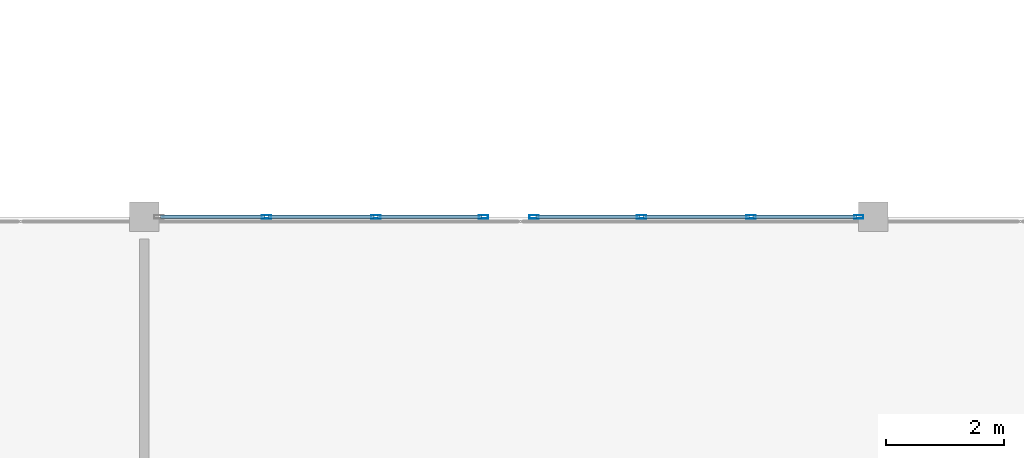
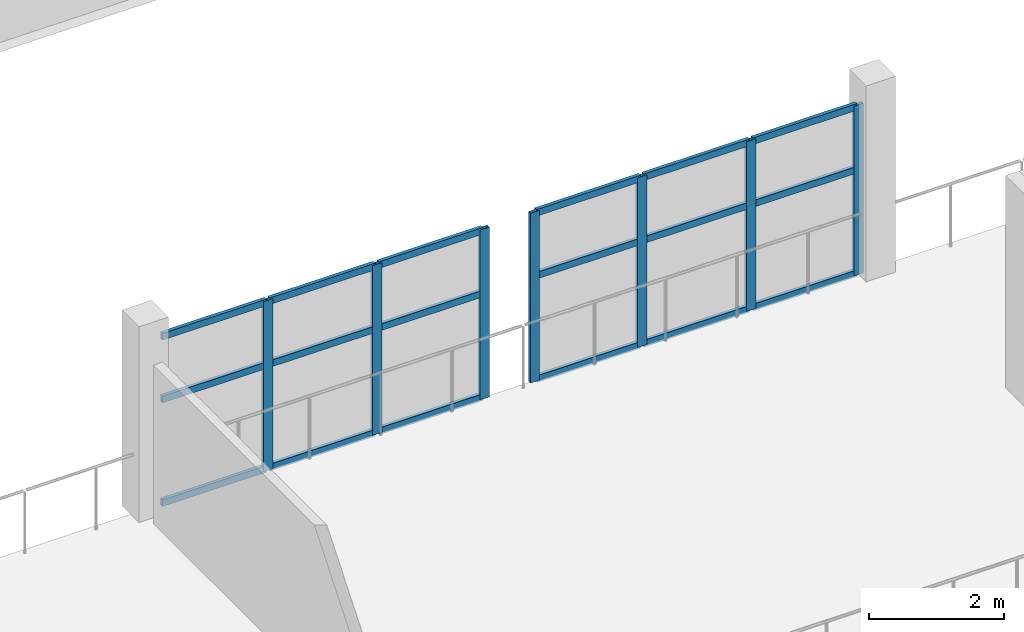
# One storey, part 44 of 128: 25 members, 2 elements without a shape of their own.
"""IFC4 building model written with IfcOpenShell, lengths in metres."""

from ifc_helpers import new_model, si_unit, direction, frame, origin, origin_2d, place, context, subcontext, project, spatial, hollow_rectangle, extrude, material, material_profile, profile_set, type_object, element, aggregate, save


model = new_model("IFC4")

# Units and contexts
model_context = context("Model", 3, precision=1e-05, world=origin(), true_north=direction((0.0, 1.0)))
body_context = subcontext(model_context, "Body", "Model", "MODEL_VIEW")
ifc_project = project(units=[si_unit("LENGTHUNIT", "METRE"), si_unit("AREAUNIT", "SQUARE_METRE"), si_unit("VOLUMEUNIT", "CUBIC_METRE"), si_unit("PLANEANGLEUNIT", "RADIAN"), si_unit("MASSUNIT", "GRAM", prefix="KILO")], contexts=[model_context])

# Site, building, storey
site_placement = place(None, origin())
site = spatial("IfcSite", under=ifc_project, at=site_placement, CompositionType="ELEMENT")
building_placement = place(site_placement, origin())
building = spatial("IfcBuilding", under=site, at=building_placement, Name="Tanwirah Colonnade Gardens", CompositionType="ELEMENT")
storey_placement = place(building_placement, frame((0.0, 0.0, 4.760009765625)))
storey = spatial("IfcBuildingStorey", under=building, at=storey_placement, Name="L01", CompositionType="ELEMENT", Elevation=4.760009765625)

# Curtain wall, members
ifc_material_1 = material(Name="Bronze-anodised aluminium and solar-control low-E glass", Category="aluminium")
curtain_wall_type = type_object("IfcCurtainWallType", Name="CW-HALL", PredefinedType="NOTDEFINED", material=ifc_material_1)
curtain_wall_1_placement = place(storey_placement, origin())
curtain_wall_1 = element("IfcCurtainWall", 1, at=curtain_wall_1_placement, inside=storey, type_object=curtain_wall_type, Name="Curtain Wall CW-HALL-L01-N-1", PredefinedType="NOTDEFINED")
ifc_material_2 = material(Name="Bronze-anodised aluminium", Category="aluminium")
ifc_material_profile_1 = material_profile(ifc_material_2, hollow_rectangle(XDim=0.06005859375, YDim=0.159912109375, WallThickness=0.00390625, at=origin_2d()), Name="CW-MUL 60x160x4")
ifc_profile_set_1 = profile_set([ifc_material_profile_1], Name="Bronze-anodised aluminium")
member_type_1 = type_object("IfcMemberType", Name="CWM-60x160", PredefinedType="MULLION", material=ifc_profile_set_1)
member_1_placement = place(storey_placement, frame((88.8798828125, 80.39990234375, 0.0), z_axis=(0.0, 0.0, 1.0), x_axis=(0.0, 1.0, 0.0)))
member_1 = element("IfcMember", 2, at=member_1_placement, type_object=member_type_1, Name="CW-HALL mullion 2", PredefinedType="MULLION", context=body_context, shape_type="SweptSolid", body=[
    extrude(hollow_rectangle(XDim=0.06005859375, YDim=0.159912109375, WallThickness=0.00390625, at=origin_2d()), origin(), (0.0, 0.0, 1.0), 3.06005859375),
])
member_2_placement = place(storey_placement, frame((90.739990234375, 80.39990234375, 0.0), z_axis=(0.0, 0.0, 1.0), x_axis=(0.0, 1.0, 0.0)))
member_2 = element("IfcMember", 3, at=member_2_placement, type_object=member_type_1, Name="CW-HALL mullion 3", PredefinedType="MULLION", context=body_context, shape_type="SweptSolid", body=[
    extrude(hollow_rectangle(XDim=0.06005859375, YDim=0.159912109375, WallThickness=0.00390625, at=origin_2d()), origin(), (0.0, 0.0, 1.0), 3.06005859375),
])
member_3_placement = place(storey_placement, frame((92.570068359375, 80.39990234375, 0.0), z_axis=(0.0, 0.0, 1.0), x_axis=(0.0, 1.0, 0.0)))
member_3 = element("IfcMember", 4, at=member_3_placement, type_object=member_type_1, Name="CW-HALL mullion 4", PredefinedType="MULLION", context=body_context, shape_type="SweptSolid", body=[
    extrude(hollow_rectangle(XDim=0.06005859375, YDim=0.159912109375, WallThickness=0.00390625, at=origin_2d()), origin(), (0.0, 0.0, 1.0), 3.06005859375),
])

curtain_wall_2_placement = place(storey_placement, origin())
curtain_wall_2 = element("IfcCurtainWall", 5, at=curtain_wall_2_placement, inside=storey, type_object=curtain_wall_type, Name="Curtain Wall CW-HALL-L01-N-2", PredefinedType="NOTDEFINED")
member_4_placement = place(storey_placement, frame((93.429931640625, 80.39990234375, 0.0), z_axis=(0.0, 0.0, 1.0), x_axis=(0.0, 1.0, 0.0)))
member_4 = element("IfcMember", 6, at=member_4_placement, type_object=member_type_1, Name="CW-HALL mullion 1", PredefinedType="MULLION", context=body_context, shape_type="SweptSolid", body=[
    extrude(hollow_rectangle(XDim=0.06005859375, YDim=0.159912109375, WallThickness=0.00390625, at=origin_2d()), origin(), (0.0, 0.0, 1.0), 3.06005859375),
])
member_5_placement = place(storey_placement, frame((95.260009765625, 80.39990234375, 0.0), z_axis=(0.0, 0.0, 1.0), x_axis=(0.0, 1.0, 0.0)))
member_5 = element("IfcMember", 7, at=member_5_placement, type_object=member_type_1, Name="CW-HALL mullion 2", PredefinedType="MULLION", context=body_context, shape_type="SweptSolid", body=[
    extrude(hollow_rectangle(XDim=0.06005859375, YDim=0.159912109375, WallThickness=0.00390625, at=origin_2d()), origin(), (0.0, 0.0, 1.0), 3.06005859375),
])
member_6_placement = place(storey_placement, frame((97.1201171875, 80.39990234375, 0.0), z_axis=(0.0, 0.0, 1.0), x_axis=(0.0, 1.0, 0.0)))
member_6 = element("IfcMember", 8, at=member_6_placement, type_object=member_type_1, Name="CW-HALL mullion 3", PredefinedType="MULLION", context=body_context, shape_type="SweptSolid", body=[
    extrude(hollow_rectangle(XDim=0.06005859375, YDim=0.159912109375, WallThickness=0.00390625, at=origin_2d()), origin(), (0.0, 0.0, 1.0), 3.06005859375),
])
member_7_placement = place(storey_placement, frame((98.949951171875, 80.39990234375, 0.0), z_axis=(0.0, 0.0, 1.0), x_axis=(0.0, 1.0, 0.0)))
member_7 = element("IfcMember", 9, at=member_7_placement, type_object=member_type_1, Name="CW-HALL mullion 4", PredefinedType="MULLION", context=body_context, shape_type="SweptSolid", body=[
    extrude(hollow_rectangle(XDim=0.06005859375, YDim=0.159912109375, WallThickness=0.00390625, at=origin_2d()), origin(), (0.0, 0.0, 1.0), 3.06005859375),
])

# Member
ifc_material_profile_2 = material_profile(ifc_material_2, hollow_rectangle(XDim=0.06005859375, YDim=0.1201171875, WallThickness=0.00390625, at=origin_2d()), Name="CW-TRN 60x120x4")
ifc_profile_set_2 = profile_set([ifc_material_profile_2], Name="Bronze-anodised aluminium")
member_type_2 = type_object("IfcMemberType", Name="CWT-60x120", PredefinedType="USERDEFINED", material=ifc_profile_set_2)
member_8_placement = place(storey_placement, frame((87.080078125, 80.39990234375, 0.030029296875), z_axis=(1.0, 0.0, 0.0), x_axis=(0.0, 1.0, 0.0)))
member_8 = element("IfcMember", 10, at=member_8_placement, type_object=member_type_2, Name="CW-HALL transom 1.1", ObjectType="TRANSOM", PredefinedType="USERDEFINED", context=body_context, shape_type="SweptSolid", body=[
    extrude(hollow_rectangle(XDim=0.06005859375, YDim=0.1201171875, WallThickness=0.00390625, at=origin_2d()), origin(), (0.0, 0.0, 1.0), 1.77001953125),
])

member_9_placement = place(storey_placement, frame((87.080078125, 80.39990234375, 1.897216796875), z_axis=(1.0, 0.0, 0.0), x_axis=(0.0, 1.0, 0.0)))
member_9 = element("IfcMember", 11, at=member_9_placement, type_object=member_type_2, Name="CW-HALL transom 1.2", ObjectType="TRANSOM", PredefinedType="USERDEFINED", context=body_context, shape_type="SweptSolid", body=[
    extrude(hollow_rectangle(XDim=0.06005859375, YDim=0.1201171875, WallThickness=0.00390625, at=origin_2d()), origin(), (0.0, 0.0, 1.0), 1.77001953125),
])

member_10_placement = place(storey_placement, frame((87.080078125, 80.39990234375, 3.030029296875), z_axis=(1.0, 0.0, 0.0), x_axis=(0.0, 1.0, 0.0)))
member_10 = element("IfcMember", 12, at=member_10_placement, type_object=member_type_2, Name="CW-HALL transom 1.3", ObjectType="TRANSOM", PredefinedType="USERDEFINED", context=body_context, shape_type="SweptSolid", body=[
    extrude(hollow_rectangle(XDim=0.06005859375, YDim=0.1201171875, WallThickness=0.00390625, at=origin_2d()), origin(), (0.0, 0.0, 1.0), 1.77001953125),
])

member_11_placement = place(storey_placement, frame((88.909912109375, 80.39990234375, 0.030029296875), z_axis=(1.0, 0.0, 0.0), x_axis=(0.0, 1.0, 0.0)))
member_11 = element("IfcMember", 13, at=member_11_placement, type_object=member_type_2, Name="CW-HALL transom 2.1", ObjectType="TRANSOM", PredefinedType="USERDEFINED", context=body_context, shape_type="SweptSolid", body=[
    extrude(hollow_rectangle(XDim=0.06005859375, YDim=0.1201171875, WallThickness=0.00390625, at=origin_2d()), origin(), (0.0, 0.0, 1.0), 1.800048828125),
])

member_12_placement = place(storey_placement, frame((88.909912109375, 80.39990234375, 1.897216796875), z_axis=(1.0, 0.0, 0.0), x_axis=(0.0, 1.0, 0.0)))
member_12 = element("IfcMember", 14, at=member_12_placement, type_object=member_type_2, Name="CW-HALL transom 2.2", ObjectType="TRANSOM", PredefinedType="USERDEFINED", context=body_context, shape_type="SweptSolid", body=[
    extrude(hollow_rectangle(XDim=0.06005859375, YDim=0.1201171875, WallThickness=0.00390625, at=origin_2d()), origin(), (0.0, 0.0, 1.0), 1.800048828125),
])

member_13_placement = place(storey_placement, frame((88.909912109375, 80.39990234375, 3.030029296875), z_axis=(1.0, 0.0, 0.0), x_axis=(0.0, 1.0, 0.0)))
member_13 = element("IfcMember", 15, at=member_13_placement, type_object=member_type_2, Name="CW-HALL transom 2.3", ObjectType="TRANSOM", PredefinedType="USERDEFINED", context=body_context, shape_type="SweptSolid", body=[
    extrude(hollow_rectangle(XDim=0.06005859375, YDim=0.1201171875, WallThickness=0.00390625, at=origin_2d()), origin(), (0.0, 0.0, 1.0), 1.800048828125),
])

member_14_placement = place(storey_placement, frame((90.77001953125, 80.39990234375, 0.030029296875), z_axis=(1.0, 0.0, 0.0), x_axis=(0.0, 1.0, 0.0)))
member_14 = element("IfcMember", 16, at=member_14_placement, type_object=member_type_2, Name="CW-HALL transom 3.1", ObjectType="TRANSOM", PredefinedType="USERDEFINED", context=body_context, shape_type="SweptSolid", body=[
    extrude(hollow_rectangle(XDim=0.06005859375, YDim=0.1201171875, WallThickness=0.00390625, at=origin_2d()), origin(), (0.0, 0.0, 1.0), 1.77001953125),
])

member_15_placement = place(storey_placement, frame((90.77001953125, 80.39990234375, 1.897216796875), z_axis=(1.0, 0.0, 0.0), x_axis=(0.0, 1.0, 0.0)))
member_15 = element("IfcMember", 17, at=member_15_placement, type_object=member_type_2, Name="CW-HALL transom 3.2", ObjectType="TRANSOM", PredefinedType="USERDEFINED", context=body_context, shape_type="SweptSolid", body=[
    extrude(hollow_rectangle(XDim=0.06005859375, YDim=0.1201171875, WallThickness=0.00390625, at=origin_2d()), origin(), (0.0, 0.0, 1.0), 1.77001953125),
])

member_16_placement = place(storey_placement, frame((90.77001953125, 80.39990234375, 3.030029296875), z_axis=(1.0, 0.0, 0.0), x_axis=(0.0, 1.0, 0.0)))
member_16 = element("IfcMember", 18, at=member_16_placement, type_object=member_type_2, Name="CW-HALL transom 3.3", ObjectType="TRANSOM", PredefinedType="USERDEFINED", context=body_context, shape_type="SweptSolid", body=[
    extrude(hollow_rectangle(XDim=0.06005859375, YDim=0.1201171875, WallThickness=0.00390625, at=origin_2d()), origin(), (0.0, 0.0, 1.0), 1.77001953125),
])

aggregate(curtain_wall_1, [member_1, member_2, member_3, member_8, member_9, member_10, member_11, member_12, member_13, member_14, member_15, member_16])

member_17_placement = place(storey_placement, frame((93.4599609375, 80.39990234375, 0.030029296875), z_axis=(1.0, 0.0, 0.0), x_axis=(0.0, 1.0, 0.0)))
member_17 = element("IfcMember", 19, at=member_17_placement, type_object=member_type_2, Name="CW-HALL transom 1.1", ObjectType="TRANSOM", PredefinedType="USERDEFINED", context=body_context, shape_type="SweptSolid", body=[
    extrude(hollow_rectangle(XDim=0.06005859375, YDim=0.1201171875, WallThickness=0.00390625, at=origin_2d()), origin(), (0.0, 0.0, 1.0), 1.77001953125),
])

member_18_placement = place(storey_placement, frame((93.4599609375, 80.39990234375, 1.897216796875), z_axis=(1.0, 0.0, 0.0), x_axis=(0.0, 1.0, 0.0)))
member_18 = element("IfcMember", 20, at=member_18_placement, type_object=member_type_2, Name="CW-HALL transom 1.2", ObjectType="TRANSOM", PredefinedType="USERDEFINED", context=body_context, shape_type="SweptSolid", body=[
    extrude(hollow_rectangle(XDim=0.06005859375, YDim=0.1201171875, WallThickness=0.00390625, at=origin_2d()), origin(), (0.0, 0.0, 1.0), 1.77001953125),
])

member_19_placement = place(storey_placement, frame((93.4599609375, 80.39990234375, 3.030029296875), z_axis=(1.0, 0.0, 0.0), x_axis=(0.0, 1.0, 0.0)))
member_19 = element("IfcMember", 21, at=member_19_placement, type_object=member_type_2, Name="CW-HALL transom 1.3", ObjectType="TRANSOM", PredefinedType="USERDEFINED", context=body_context, shape_type="SweptSolid", body=[
    extrude(hollow_rectangle(XDim=0.06005859375, YDim=0.1201171875, WallThickness=0.00390625, at=origin_2d()), origin(), (0.0, 0.0, 1.0), 1.77001953125),
])

member_20_placement = place(storey_placement, frame((95.2900390625, 80.39990234375, 0.030029296875), z_axis=(1.0, 0.0, 0.0), x_axis=(0.0, 1.0, 0.0)))
member_20 = element("IfcMember", 22, at=member_20_placement, type_object=member_type_2, Name="CW-HALL transom 2.1", ObjectType="TRANSOM", PredefinedType="USERDEFINED", context=body_context, shape_type="SweptSolid", body=[
    extrude(hollow_rectangle(XDim=0.06005859375, YDim=0.1201171875, WallThickness=0.00390625, at=origin_2d()), origin(), (0.0, 0.0, 1.0), 1.800048828125),
])

member_21_placement = place(storey_placement, frame((95.2900390625, 80.39990234375, 1.897216796875), z_axis=(1.0, 0.0, 0.0), x_axis=(0.0, 1.0, 0.0)))
member_21 = element("IfcMember", 23, at=member_21_placement, type_object=member_type_2, Name="CW-HALL transom 2.2", ObjectType="TRANSOM", PredefinedType="USERDEFINED", context=body_context, shape_type="SweptSolid", body=[
    extrude(hollow_rectangle(XDim=0.06005859375, YDim=0.1201171875, WallThickness=0.00390625, at=origin_2d()), origin(), (0.0, 0.0, 1.0), 1.800048828125),
])

member_22_placement = place(storey_placement, frame((95.2900390625, 80.39990234375, 3.030029296875), z_axis=(1.0, 0.0, 0.0), x_axis=(0.0, 1.0, 0.0)))
member_22 = element("IfcMember", 24, at=member_22_placement, type_object=member_type_2, Name="CW-HALL transom 2.3", ObjectType="TRANSOM", PredefinedType="USERDEFINED", context=body_context, shape_type="SweptSolid", body=[
    extrude(hollow_rectangle(XDim=0.06005859375, YDim=0.1201171875, WallThickness=0.00390625, at=origin_2d()), origin(), (0.0, 0.0, 1.0), 1.800048828125),
])

member_23_placement = place(storey_placement, frame((97.14990234375, 80.39990234375, 0.030029296875), z_axis=(1.0, 0.0, 0.0), x_axis=(0.0, 1.0, 0.0)))
member_23 = element("IfcMember", 25, at=member_23_placement, type_object=member_type_2, Name="CW-HALL transom 3.1", ObjectType="TRANSOM", PredefinedType="USERDEFINED", context=body_context, shape_type="SweptSolid", body=[
    extrude(hollow_rectangle(XDim=0.06005859375, YDim=0.1201171875, WallThickness=0.00390625, at=origin_2d()), origin(), (0.0, 0.0, 1.0), 1.77001953125),
])

member_24_placement = place(storey_placement, frame((97.14990234375, 80.39990234375, 1.897216796875), z_axis=(1.0, 0.0, 0.0), x_axis=(0.0, 1.0, 0.0)))
member_24 = element("IfcMember", 26, at=member_24_placement, type_object=member_type_2, Name="CW-HALL transom 3.2", ObjectType="TRANSOM", PredefinedType="USERDEFINED", context=body_context, shape_type="SweptSolid", body=[
    extrude(hollow_rectangle(XDim=0.06005859375, YDim=0.1201171875, WallThickness=0.00390625, at=origin_2d()), origin(), (0.0, 0.0, 1.0), 1.77001953125),
])

member_25_placement = place(storey_placement, frame((97.14990234375, 80.39990234375, 3.030029296875), z_axis=(1.0, 0.0, 0.0), x_axis=(0.0, 1.0, 0.0)))
member_25 = element("IfcMember", 27, at=member_25_placement, type_object=member_type_2, Name="CW-HALL transom 3.3", ObjectType="TRANSOM", PredefinedType="USERDEFINED", context=body_context, shape_type="SweptSolid", body=[
    extrude(hollow_rectangle(XDim=0.06005859375, YDim=0.1201171875, WallThickness=0.00390625, at=origin_2d()), origin(), (0.0, 0.0, 1.0), 1.77001953125),
])

aggregate(curtain_wall_2, [member_4, member_5, member_6, member_7, member_17, member_18, member_19, member_20, member_21, member_22, member_23, member_24, member_25])

save(model, "model.ifc")
